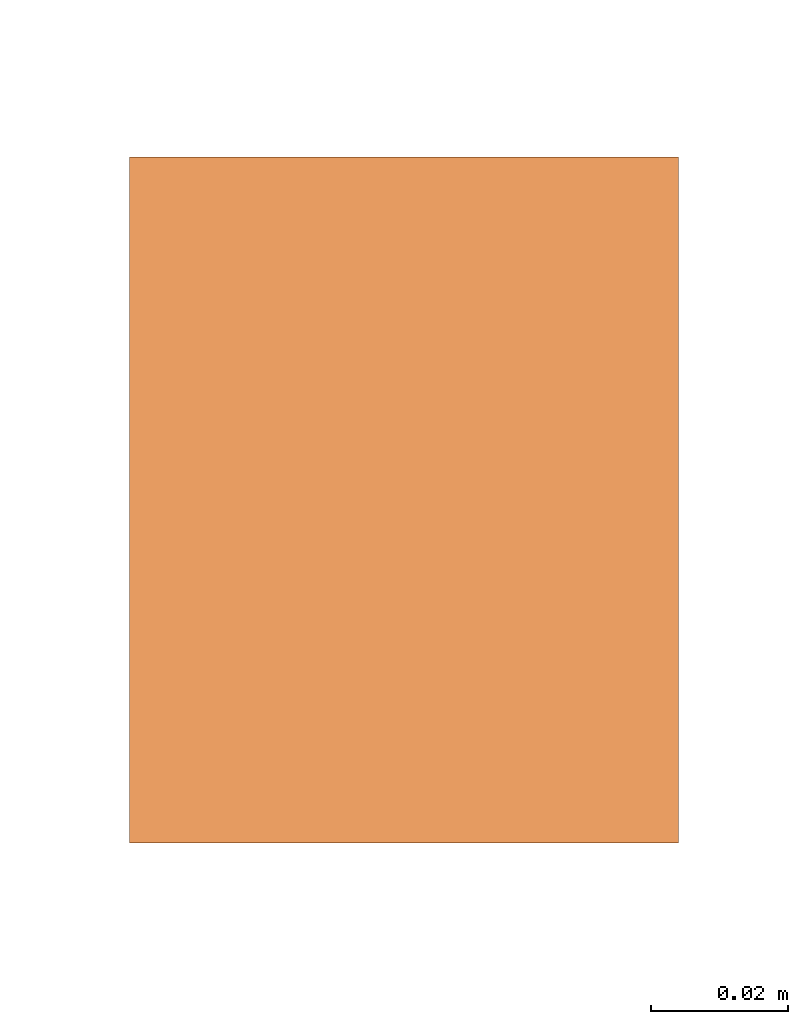
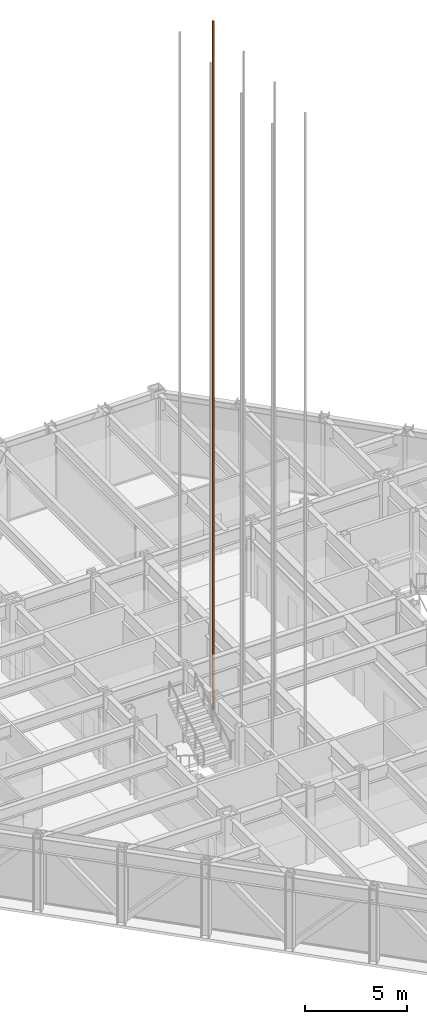
# One storey, part 24 of 24: 1 proxy.
"""IFC4 building model written with IfcOpenShell, lengths in metres."""

from ifc_helpers import new_model, si_unit, direction, frame, origin, origin_2d, place, context, subcontext, project, spatial, rectangle, extrude, material, type_object, element, save


model = new_model("IFC4")

# Units and contexts
model_context = context("Model", 3, precision=1e-05, world=origin(), true_north=direction((0.0, 1.0)))
body_context = subcontext(model_context, "Body", "Model", "MODEL_VIEW")
ifc_project = project(units=[si_unit("LENGTHUNIT", "METRE"), si_unit("AREAUNIT", "SQUARE_METRE"), si_unit("VOLUMEUNIT", "CUBIC_METRE"), si_unit("PLANEANGLEUNIT", "RADIAN"), si_unit("MASSUNIT", "GRAM", prefix="KILO")], contexts=[model_context])

# Site, building, storey
site_placement = place(None, origin())
site = spatial("IfcSite", under=ifc_project, at=site_placement, CompositionType="ELEMENT")
building_placement = place(site_placement, origin())
building = spatial("IfcBuilding", under=site, at=building_placement, Name="Chuquiago Exchange Tower", CompositionType="ELEMENT")
storey_placement = place(building_placement, frame((0.0, 0.0, 257.699951171875)))
storey = spatial("IfcBuildingStorey", under=building, at=storey_placement, Name="L57", CompositionType="ELEMENT", Elevation=257.699951171875)

# Proxy
ifc_material = material(Name="Galvanised steel guide rail", Category="steel")
building_element_proxy_type = type_object("IfcBuildingElementProxyType", Name="LR lift guide rail", PredefinedType="NOTDEFINED", material=ifc_material)
proxy_placement = place(storey_placement, frame((18.93505859375, 25.5, 0.0), z_axis=(0.0, 0.0, 1.0), x_axis=(1.0, 0.0, 0.0)))
element("IfcBuildingElementProxy", 1, at=proxy_placement, inside=storey, type_object=building_element_proxy_type, Name="Lift LD4 guide rail E", PredefinedType="NOTDEFINED", context=body_context, shape_type="SweptSolid", body=[
    extrude(rectangle(XDim=0.080078125, YDim=0.10009765625, at=origin_2d()), origin(), (0.0, 0.0, 1.0), 41.0),
])

save(model, "model.ifc")
